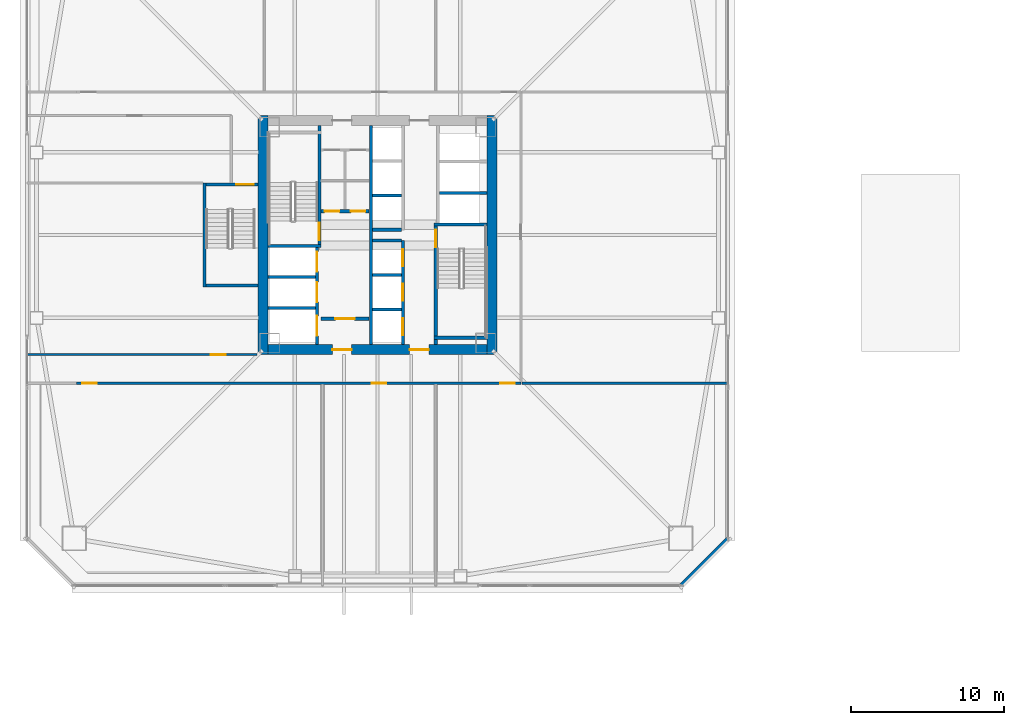
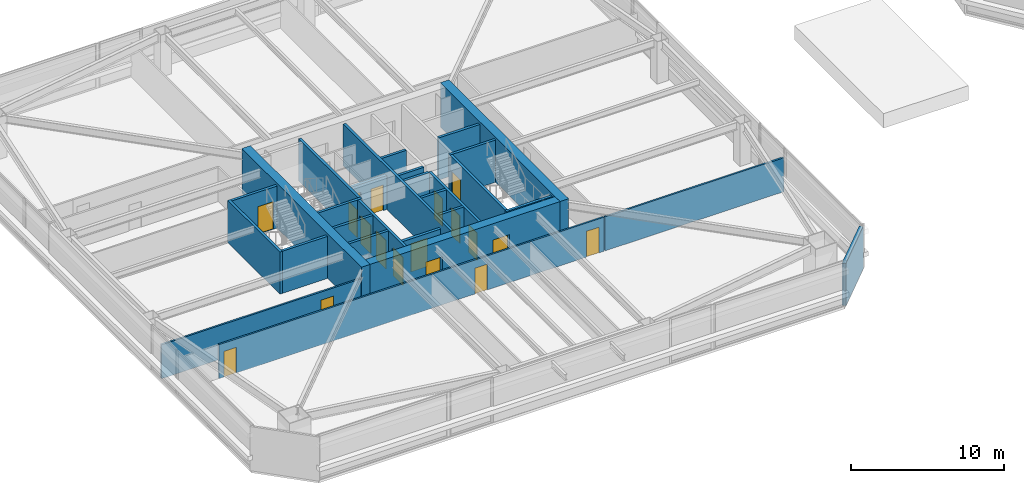
# One storey, part 34 of 46: 28 walls, 18 doors, 18 openings.
"""IFC4 building model written with IfcOpenShell, lengths in metres."""

from ifc_helpers import new_model, si_unit, direction, frame, frame_2d, origin, place, context, subcontext, project, spatial, rectangle, extrude, material, layer, layer_set, type_object, element, fill, save


model = new_model("IFC4")

# Units and contexts
model_context = context("Model", 3, precision=1e-05, world=origin(), true_north=direction((0.0, 1.0)))
body_context = subcontext(model_context, "Body", "Model", "MODEL_VIEW")
ifc_project = project(units=[si_unit("LENGTHUNIT", "METRE"), si_unit("AREAUNIT", "SQUARE_METRE"), si_unit("VOLUMEUNIT", "CUBIC_METRE"), si_unit("PLANEANGLEUNIT", "RADIAN"), si_unit("MASSUNIT", "GRAM", prefix="KILO")], contexts=[model_context])

# Site, building, storey
site_placement = place(None, origin())
site = spatial("IfcSite", under=ifc_project, at=site_placement, CompositionType="ELEMENT")
building_placement = place(site_placement, origin())
building = spatial("IfcBuilding", under=site, at=building_placement, Name="Tashvorn Skyway Center", CompositionType="ELEMENT")
storey_placement = place(building_placement, frame((0.0, 0.0, 31.699951171875)))
storey = spatial("IfcBuildingStorey", under=building, at=storey_placement, Name="L07", CompositionType="ELEMENT", Elevation=31.699951171875)

# Walls
ifc_material_1 = material(Name="Concrete C60/75", Category="concrete")
ifc_layer_1 = layer(ifc_material_1, 0.64990234375)
ifc_layer_set_1 = layer_set([ifc_layer_1], Name="Concrete C60/75")
wall_type_1 = type_object("IfcWallType", Name="WALL-CORE-650", PredefinedType="SHEAR", material=ifc_layer_set_1)
for number, where, z_axis, x_axis, name in (
    (1, (34.52490234375, 24.199951171875, 0.0), (0.0, 0.0, 1.0), (0.0, 1.0, 0.0), "Tower 1 L07 West Core Shear Wall"),
    (2, (49.47509765625, 39.800048828125, 0.0), (0.0, 0.0, 1.0), (0.0, -1.0, 0.0), "Tower 1 L07 East Core Shear Wall"),
):
    element("IfcWall", number, at=place(storey_placement, frame(where, z_axis=z_axis, x_axis=x_axis)), inside=storey, type_object=wall_type_1, Name=name, PredefinedType="SHEAR", context=body_context, shape_type="SweptSolid", body=[
        extrude(rectangle(XDim=15.60009765625, YDim=0.64990234375, at=frame_2d((7.800048828125, 0.0))), origin(), (0.0, 0.0, 1.0), 3.550048828125),
    ])

# Wall, openings, doors
wall_1_placement = place(storey_placement, frame((49.14990234375, 24.52490234375, 0.0), z_axis=(0.0, 0.0, 1.0), x_axis=(-1.0, 0.0, 0.0)))
wall_1 = element("IfcWall", 3, at=wall_1_placement, inside=storey, type_object=wall_type_1, Name="Tower 1 L07 South Core Shear Wall", PredefinedType="SHEAR", context=body_context, shape_type="SweptSolid", body=[
    extrude(rectangle(XDim=14.2998046875, YDim=0.64990234375, at=frame_2d((7.14990234375, 0.0))), origin(), (0.0, 0.0, 1.0), 3.550048828125),
])
opening_1_placement = place(wall_1_placement, frame((8.85009765625, 0.0, 0.0)))
opening_1 = element("IfcOpeningElement", 4, at=opening_1_placement, cuts=wall_1, Name="Opening D-FFL-1250", PredefinedType="OPENING", context=body_context, shape_type="SweptSolid", body=[
    extrude(rectangle(XDim=1.25, YDim=2.25, at=frame_2d((0.625, 1.125))), frame((0.0, 0.3349609375, 0.0), z_axis=(0.0, -1.0, 0.0), x_axis=(1.0, 0.0, 0.0)), (0.0, 0.0, 1.0), 0.669921875),
])
opening_2_placement = place(wall_1_placement, frame((3.800048828125, 0.0, 0.0)))
opening_2 = element("IfcOpeningElement", 5, at=opening_2_placement, cuts=wall_1, Name="Opening D-FFL-1250", PredefinedType="OPENING", context=body_context, shape_type="SweptSolid", body=[
    extrude(rectangle(XDim=1.25, YDim=2.25, at=frame_2d((0.625, 1.125))), frame((0.0, 0.3349609375, 0.0), z_axis=(0.0, -1.0, 0.0), x_axis=(1.0, 0.0, 0.0)), (0.0, 0.0, 1.0), 0.669921875),
])
ifc_material_2 = material(Name="Hollow galvanized steel fire door assembly", Category="steel")
door_type_1 = type_object("IfcDoorType", Name="DOOR-FFL-1250", OperationType="NOTDEFINED", PredefinedType="DOOR", material=ifc_material_2)
door_1_placement = place(opening_1_placement, origin())
door_1 = element("IfcDoor", 6, at=door_1_placement, inside=storey, type_object=door_type_1, Name="Tower 1 L07 Core South Firefighting Exit Door", OperationType="SINGLE_SWING_LEFT", OverallHeight=2.25, OverallWidth=1.25, PredefinedType="DOOR", context=body_context, shape_type="SweptSolid", body=[
    extrude(rectangle(XDim=1.25, YDim=2.25, at=frame_2d((0.625, 1.125))), frame((0.0, 0.02490234375, 0.0), z_axis=(0.0, -1.0, 0.0), x_axis=(1.0, 0.0, 0.0)), (0.0, 0.0, 1.0), 0.050048828125),
])
fill(opening_1, door_1)
door_2_placement = place(opening_2_placement, origin())
door_2 = element("IfcDoor", 7, at=door_2_placement, inside=storey, type_object=door_type_1, Name="Tower 1 L07 Core South Lift Lobby Door", OperationType="SINGLE_SWING_RIGHT", OverallHeight=2.25, OverallWidth=1.25, PredefinedType="DOOR", context=body_context, shape_type="SweptSolid", body=[
    extrude(rectangle(XDim=1.25, YDim=2.25, at=frame_2d((0.625, 1.125))), frame((0.0, 0.02490234375, 0.0), z_axis=(0.0, -1.0, 0.0), x_axis=(1.0, 0.0, 0.0)), (0.0, 0.0, 1.0), 0.050048828125),
])
fill(opening_2, door_2)

# Wall
ifc_material_3 = material(Name="Precast concrete C40/50", Category="concrete")
ifc_layer_2 = layer(ifc_material_3, 0.280029296875)
ifc_layer_set_2 = layer_set([ifc_layer_2], Name="Precast concrete C40/50")
wall_type_2 = type_object("IfcWallType", Name="WALL-EXT-280", PredefinedType="SOLIDWALL", material=ifc_layer_set_2)
wall_2_placement = place(storey_placement, frame((64.89990234375, 12.199951171875, 0.0), z_axis=(0.0, 0.0, 1.0), x_axis=(-0.707106781187, -0.707106781187, 0.0)))
element("IfcWall", 8, at=wall_2_placement, inside=storey, type_object=wall_type_2, Name="Tower 1 L07 SE Precast Chamfer Wall", PredefinedType="SOLIDWALL", context=body_context, shape_type="SweptSolid", body=[
    extrude(rectangle(XDim=4.3837890625, YDim=0.280029296875, at=frame_2d((2.19189453125, 0.0))), origin(), (0.0, 0.0, 1.0), 3.35009765625),
])

# Wall, openings, doors
ifc_material_4 = material(Name="Concrete C40/50", Category="concrete")
ifc_layer_3 = layer(ifc_material_4, 0.219970703125)
ifc_layer_set_3 = layer_set([ifc_layer_3], Name="Concrete C40/50")
wall_type_3 = type_object("IfcWallType", Name="WALL-FFL-220", PredefinedType="SOLIDWALL", material=ifc_layer_set_3)
wall_3_placement = place(storey_placement, frame((38.300048828125, 33.56005859375, 0.0), z_axis=(0.0, 0.0, 1.0), x_axis=(1.0, 0.0, 0.0)))
wall_3 = element("IfcWall", 9, at=wall_3_placement, inside=storey, type_object=wall_type_3, Name="Tower 1 L07 Firefighting Lobby North Wall", PredefinedType="SOLIDWALL", context=body_context, shape_type="SweptSolid", body=[
    extrude(rectangle(XDim=3.14990234375, YDim=0.219970703125, at=frame_2d((1.574951171875, 0.0))), origin(), (0.0, 0.0, 1.0), 2.703125),
])
opening_3_placement = place(wall_3_placement, frame((0.25, 0.0, 0.0)))
opening_3 = element("IfcOpeningElement", 10, at=opening_3_placement, cuts=wall_3, Name="Opening D-RT-950", PredefinedType="OPENING", context=body_context, shape_type="SweptSolid", body=[
    extrude(rectangle(XDim=0.949951171875, YDim=2.050048828125, at=frame_2d((0.47509765625, 1.02490234375))), frame((0.0, 0.119873046875, 0.0), z_axis=(0.0, -1.0, 0.0), x_axis=(1.0, 0.0, 0.0)), (0.0, 0.0, 1.0), 0.239990234375),
])
opening_4_placement = place(wall_3_placement, frame((1.949951171875, 0.0, 0.0)))
opening_4 = element("IfcOpeningElement", 11, at=opening_4_placement, cuts=wall_3, Name="Opening D-RT-950", PredefinedType="OPENING", context=body_context, shape_type="SweptSolid", body=[
    extrude(rectangle(XDim=0.949951171875, YDim=2.050048828125, at=frame_2d((0.47509765625, 1.02490234375))), frame((0.0, 0.119873046875, 0.0), z_axis=(0.0, -1.0, 0.0), x_axis=(1.0, 0.0, 0.0)), (0.0, 0.0, 1.0), 0.239990234375),
])
door_type_2 = type_object("IfcDoorType", Name="DOOR-RATED-950", OperationType="NOTDEFINED", PredefinedType="DOOR", material=ifc_material_2)
door_3_placement = place(opening_3_placement, origin())
door_3 = element("IfcDoor", 12, at=door_3_placement, inside=storey, type_object=door_type_2, Name="Tower 1 L07 Core Mail Room Door", OperationType="SINGLE_SWING_LEFT", OverallHeight=2.050048828125, OverallWidth=0.949951171875, PredefinedType="DOOR", context=body_context, shape_type="SweptSolid", body=[
    extrude(rectangle(XDim=0.949951171875, YDim=2.050048828125, at=frame_2d((0.47509765625, 1.02490234375))), frame((0.0, 0.02490234375, 0.0), z_axis=(0.0, -1.0, 0.0), x_axis=(1.0, 0.0, 0.0)), (0.0, 0.0, 1.0), 0.050048828125),
])
fill(opening_3, door_3)
door_4_placement = place(opening_4_placement, origin())
door_4 = element("IfcDoor", 13, at=door_4_placement, inside=storey, type_object=door_type_2, Name="Tower 1 L07 Core Supply Closet Door", OperationType="SINGLE_SWING_RIGHT", OverallHeight=2.050048828125, OverallWidth=0.949951171875, PredefinedType="DOOR", context=body_context, shape_type="SweptSolid", body=[
    extrude(rectangle(XDim=0.949951171875, YDim=2.050048828125, at=frame_2d((0.47509765625, 1.02490234375))), frame((0.0, 0.02490234375, 0.0), z_axis=(0.0, -1.0, 0.0), x_axis=(1.0, 0.0, 0.0)), (0.0, 0.0, 1.0), 0.050048828125),
])
fill(opening_4, door_4)

# Wall, opening, door
wall_4_placement = place(storey_placement, frame((38.300048828125, 26.5400390625, 0.0), z_axis=(0.0, 0.0, 1.0), x_axis=(1.0, 0.0, 0.0)))
wall_4 = element("IfcWall", 14, at=wall_4_placement, inside=storey, type_object=wall_type_3, Name="Tower 1 L07 Firefighting Lobby South Wall", PredefinedType="SOLIDWALL", context=body_context, shape_type="SweptSolid", body=[
    extrude(rectangle(XDim=3.14990234375, YDim=0.219970703125, at=frame_2d((1.574951171875, 0.0))), origin(), (0.0, 0.0, 1.0), 2.703125),
])
opening_5_placement = place(wall_4_placement, frame((0.949951171875, 0.0, 0.0)))
opening_5 = element("IfcOpeningElement", 15, at=opening_5_placement, cuts=wall_4, Name="Opening D-FFL-1250", PredefinedType="OPENING", context=body_context, shape_type="SweptSolid", body=[
    extrude(rectangle(XDim=1.25, YDim=2.25, at=frame_2d((0.625, 1.125))), frame((0.0, 0.119873046875, 0.0), z_axis=(0.0, -1.0, 0.0), x_axis=(1.0, 0.0, 0.0)), (0.0, 0.0, 1.0), 0.239990234375),
])
door_5_placement = place(opening_5_placement, origin())
door_5 = element("IfcDoor", 16, at=door_5_placement, inside=storey, type_object=door_type_1, Name="Tower 1 L07 Firefighting Lobby Egress Door", OperationType="SINGLE_SWING_LEFT", OverallHeight=2.25, OverallWidth=1.25, PredefinedType="DOOR", context=body_context, shape_type="SweptSolid", body=[
    extrude(rectangle(XDim=1.25, YDim=2.25, at=frame_2d((0.625, 1.125))), frame((0.0, 0.02490234375, 0.0), z_axis=(0.0, -1.0, 0.0), x_axis=(1.0, 0.0, 0.0)), (0.0, 0.0, 1.0), 0.050048828125),
])
fill(opening_5, door_5)

# Wall, openings, doors
ifc_material_5 = material(Name="Gypsum board on cold-formed steel stud framing", Category="steel")
ifc_layer_4 = layer(ifc_material_5, 0.135009765625)
ifc_layer_set_4 = layer_set([ifc_layer_4], Name="Gypsum board on cold-formed steel stud framing")
wall_type_4 = type_object("IfcWallType", Name="WALL-PART-135", PredefinedType="PARTITIONING", material=ifc_layer_set_4)
wall_5_placement = place(storey_placement, frame((51.35009765625, 22.330078125, 0.0), z_axis=(0.0, 0.0, 1.0), x_axis=(-1.0, 0.0, 0.0)))
wall_5 = element("IfcWall", 17, at=wall_5_placement, inside=storey, type_object=wall_type_4, Name="Tower 1 L07 South Suite Wall", PredefinedType="PARTITIONING", context=body_context, shape_type="SweptSolid", body=[
    extrude(rectangle(XDim=29.0, YDim=0.135009765625, at=frame_2d((14.5, 0.0))), origin(), (0.0, 0.0, 1.0), 2.703125),
])
opening_6_placement = place(wall_5_placement, frame((27.669921875, 0.0, 0.0)))
opening_6 = element("IfcOpeningElement", 18, at=opening_6_placement, cuts=wall_5, Name="Opening D-INT-950", PredefinedType="OPENING", context=body_context, shape_type="SweptSolid", body=[
    extrude(rectangle(XDim=0.949951171875, YDim=2.050048828125, at=frame_2d((0.47509765625, 1.02490234375))), frame((0.0, 0.077392578125, 0.0), z_axis=(0.0, -1.0, 0.0), x_axis=(1.0, 0.0, 0.0)), (0.0, 0.0, 1.0), 0.155029296875),
])
opening_7_placement = place(wall_5_placement, frame((8.77490234375, 0.0, 0.0)))
opening_7 = element("IfcOpeningElement", 19, at=opening_7_placement, cuts=wall_5, Name="Opening D-INT-950", PredefinedType="OPENING", context=body_context, shape_type="SweptSolid", body=[
    extrude(rectangle(XDim=0.949951171875, YDim=2.050048828125, at=frame_2d((0.47509765625, 1.02490234375))), frame((0.0, 0.077392578125, 0.0), z_axis=(0.0, -1.0, 0.0), x_axis=(1.0, 0.0, 0.0)), (0.0, 0.0, 1.0), 0.155029296875),
])
opening_8_placement = place(wall_5_placement, frame((0.3798828125, 0.0, 0.0)))
opening_8 = element("IfcOpeningElement", 20, at=opening_8_placement, cuts=wall_5, Name="Opening D-INT-950", PredefinedType="OPENING", context=body_context, shape_type="SweptSolid", body=[
    extrude(rectangle(XDim=0.949951171875, YDim=2.050048828125, at=frame_2d((0.47509765625, 1.02490234375))), frame((0.0, 0.077392578125, 0.0), z_axis=(0.0, -1.0, 0.0), x_axis=(1.0, 0.0, 0.0)), (0.0, 0.0, 1.0), 0.155029296875),
])
ifc_material_6 = material(Name="Solid-core architectural oak veneer door")
door_type_3 = type_object("IfcDoorType", Name="DOOR-INT-950", OperationType="NOTDEFINED", PredefinedType="DOOR", material=ifc_material_6)
door_6_placement = place(opening_6_placement, origin())
door_6 = element("IfcDoor", 21, at=door_6_placement, inside=storey, type_object=door_type_3, Name="Tower 1 L07 Open Plan Office Door", OperationType="SINGLE_SWING_LEFT", OverallHeight=2.050048828125, OverallWidth=0.949951171875, PredefinedType="DOOR", context=body_context, shape_type="SweptSolid", body=[
    extrude(rectangle(XDim=0.949951171875, YDim=2.050048828125, at=frame_2d((0.47509765625, 1.02490234375))), frame((0.0, 0.02490234375, 0.0), z_axis=(0.0, -1.0, 0.0), x_axis=(1.0, 0.0, 0.0)), (0.0, 0.0, 1.0), 0.050048828125),
])
fill(opening_6, door_6)
door_7_placement = place(opening_7_placement, origin())
door_7 = element("IfcDoor", 22, at=door_7_placement, inside=storey, type_object=door_type_3, Name="Tower 1 L07 Catering Pantry Door", OperationType="SINGLE_SWING_RIGHT", OverallHeight=2.050048828125, OverallWidth=0.949951171875, PredefinedType="DOOR", context=body_context, shape_type="SweptSolid", body=[
    extrude(rectangle(XDim=0.949951171875, YDim=2.050048828125, at=frame_2d((0.47509765625, 1.02490234375))), frame((0.0, 0.02490234375, 0.0), z_axis=(0.0, -1.0, 0.0), x_axis=(1.0, 0.0, 0.0)), (0.0, 0.0, 1.0), 0.050048828125),
])
fill(opening_7, door_7)
door_8_placement = place(opening_8_placement, origin())
door_8 = element("IfcDoor", 23, at=door_8_placement, inside=storey, type_object=door_type_3, Name="Tower 1 L07 Catering Pantry Door", OperationType="SINGLE_SWING_LEFT", OverallHeight=2.050048828125, OverallWidth=0.949951171875, PredefinedType="DOOR", context=body_context, shape_type="SweptSolid", body=[
    extrude(rectangle(XDim=0.949951171875, YDim=2.050048828125, at=frame_2d((0.47509765625, 1.02490234375))), frame((0.0, 0.02490234375, 0.0), z_axis=(0.0, -1.0, 0.0), x_axis=(1.0, 0.0, 0.0)), (0.0, 0.0, 1.0), 0.050048828125),
])
fill(opening_8, door_8)

# Wall
wall_6_placement = place(storey_placement, frame((51.429931640625, 22.330078125, 0.0), z_axis=(0.0, 0.0, 1.0), x_axis=(1.0, 0.0, 0.0)))
element("IfcWall", 24, at=wall_6_placement, inside=storey, type_object=wall_type_4, Name="Tower 1 L07 East Suite South Wall", PredefinedType="PARTITIONING", context=body_context, shape_type="SweptSolid", body=[
    extrude(rectangle(XDim=13.449951171875, YDim=0.135009765625, at=frame_2d((6.72509765625, 0.0))), origin(), (0.0, 0.0, 1.0), 2.703125),
])

# Wall, opening, door
wall_7_placement = place(storey_placement, frame((19.1201171875, 24.199951171875, 0.0), z_axis=(0.0, 0.0, 1.0), x_axis=(1.0, 0.0, 0.0)))
wall_7 = element("IfcWall", 25, at=wall_7_placement, inside=storey, type_object=wall_type_4, Name="Tower 1 L07 West Suite South Wall", PredefinedType="PARTITIONING", context=body_context, shape_type="SweptSolid", body=[
    extrude(rectangle(XDim=15.0, YDim=0.135009765625, at=frame_2d((7.5, 0.0))), origin(), (0.0, 0.0, 1.0), 2.703125),
])
opening_9_placement = place(wall_7_placement, frame((12.0048828125, 0.0, 0.0)))
opening_9 = element("IfcOpeningElement", 26, at=opening_9_placement, cuts=wall_7, Name="Opening D-INT-950", PredefinedType="OPENING", context=body_context, shape_type="SweptSolid", body=[
    extrude(rectangle(XDim=0.949951171875, YDim=2.050048828125, at=frame_2d((0.47509765625, 1.02490234375))), frame((0.0, 0.077392578125, 0.0), z_axis=(0.0, -1.0, 0.0), x_axis=(1.0, 0.0, 0.0)), (0.0, 0.0, 1.0), 0.155029296875),
])
door_9_placement = place(opening_9_placement, origin())
door_9 = element("IfcDoor", 27, at=door_9_placement, inside=storey, type_object=door_type_3, Name="Tower 1 L07 Public Restroom Door", OperationType="SINGLE_SWING_RIGHT", OverallHeight=2.050048828125, OverallWidth=0.949951171875, PredefinedType="DOOR", context=body_context, shape_type="SweptSolid", body=[
    extrude(rectangle(XDim=0.949951171875, YDim=2.050048828125, at=frame_2d((0.47509765625, 1.02490234375))), frame((0.0, 0.02490234375, 0.0), z_axis=(0.0, -1.0, 0.0), x_axis=(1.0, 0.0, 0.0)), (0.0, 0.0, 1.0), 0.050048828125),
])
fill(opening_9, door_9)

# Walls
ifc_layer_5 = layer(ifc_material_4, 0.199951171875)
ifc_layer_set_5 = layer_set([ifc_layer_5], Name="Concrete C40/50")
wall_type_5 = type_object("IfcWallType", Name="WALL-SHAFT-200", PredefinedType="SOLIDWALL", material=ifc_layer_set_5)
for number, where, z_axis, x_axis, name in (
    (28, (34.85009765625, 27.25, 0.0), (0.0, 0.0, 1.0), (1.0, 0.0, 0.0), "Tower 1 L07 FSAE Shaft Divider"),
    (29, (34.85009765625, 29.280029296875, 0.0), (0.0, 0.0, 1.0), (1.0, 0.0, 0.0), "Tower 1 L07 FSAE Shaft Divider"),
    (30, (46.050048828125, 34.75, 0.0), (0.0, 0.0, 1.0), (1.0, 0.0, 0.0), "Tower 1 L07 High-Rise Shaft Divider"),
):
    element("IfcWall", number, at=place(storey_placement, frame(where, z_axis=z_axis, x_axis=x_axis)), inside=storey, type_object=wall_type_5, Name=name, PredefinedType="SOLIDWALL", context=body_context, shape_type="SweptSolid", body=[
        extrude(rectangle(XDim=3.099853515625, YDim=0.199951171875, at=frame_2d((1.5498046875, 0.0))), origin(), (0.0, 0.0, 1.0), 3.35009765625),
    ])

# Wall, openings, doors
wall_8_placement = place(storey_placement, frame((43.64990234375, 24.85009765625, 0.0), z_axis=(0.0, 0.0, 1.0), x_axis=(0.0, 1.0, 0.0)))
wall_8 = element("IfcWall", 31, at=wall_8_placement, inside=storey, type_object=wall_type_5, Name="Tower 1 L07 Low-Rise Core Wall", PredefinedType="SOLIDWALL", context=body_context, shape_type="SweptSolid", body=[
    extrude(rectangle(XDim=6.7998046875, YDim=0.199951171875, at=frame_2d((3.39990234375, 0.0))), origin(), (0.0, 0.0, 1.0), 3.35009765625),
])
opening_10_placement = place(wall_8_placement, frame((0.625, 0.0, 0.0)))
opening_10 = element("IfcOpeningElement", 32, at=opening_10_placement, cuts=wall_8, Name="Opening LD-LR-T1-1-L07", PredefinedType="OPENING", context=body_context, shape_type="SweptSolid", body=[
    extrude(rectangle(XDim=1.10009765625, YDim=2.199951171875, at=frame_2d((0.550048828125, 1.10009765625))), frame((0.0, 0.10986328125, 0.0), z_axis=(0.0, -1.0, 0.0), x_axis=(1.0, 0.0, 0.0)), (0.0, 0.0, 1.0), 0.219970703125),
])
opening_11_placement = place(wall_8_placement, frame((2.875, 0.0, 0.0)))
opening_11 = element("IfcOpeningElement", 33, at=opening_11_placement, cuts=wall_8, Name="Opening LD-LR-T1-2-L07", PredefinedType="OPENING", context=body_context, shape_type="SweptSolid", body=[
    extrude(rectangle(XDim=1.10009765625, YDim=2.199951171875, at=frame_2d((0.550048828125, 1.10009765625))), frame((0.0, 0.10986328125, 0.0), z_axis=(0.0, -1.0, 0.0), x_axis=(1.0, 0.0, 0.0)), (0.0, 0.0, 1.0), 0.219970703125),
])
opening_12_placement = place(wall_8_placement, frame((5.125, 0.0, 0.0)))
opening_12 = element("IfcOpeningElement", 34, at=opening_12_placement, cuts=wall_8, Name="Opening LD-LR-T1-3-L07", PredefinedType="OPENING", context=body_context, shape_type="SweptSolid", body=[
    extrude(rectangle(XDim=1.10009765625, YDim=2.199951171875, at=frame_2d((0.550048828125, 1.10009765625))), frame((0.0, 0.10986328125, 0.0), z_axis=(0.0, -1.0, 0.0), x_axis=(1.0, 0.0, 0.0)), (0.0, 0.0, 1.0), 0.219970703125),
])
ifc_material_7 = material(Name="Stainless steel landing door", Category="steel")
door_type_4 = type_object("IfcDoorType", Name="DOOR-LIFT-1100", OperationType="SLIDING_TO_LEFT", PredefinedType="DOOR", material=ifc_material_7)
door_10_placement = place(opening_10_placement, origin())
door_10 = element("IfcDoor", 35, at=door_10_placement, inside=storey, type_object=door_type_4, Name="Lift LR-T1-1 L07 Landing Door", OperationType="SLIDING_TO_LEFT", OverallHeight=2.199951171875, OverallWidth=1.10009765625, PredefinedType="DOOR", context=body_context, shape_type="SweptSolid", body=[
    extrude(rectangle(XDim=1.10009765625, YDim=2.199951171875, at=frame_2d((0.550048828125, 1.10009765625))), frame((0.0, 0.02490234375, 0.0), z_axis=(0.0, -1.0, 0.0), x_axis=(1.0, 0.0, 0.0)), (0.0, 0.0, 1.0), 0.050048828125),
])
fill(opening_10, door_10)
door_11_placement = place(opening_11_placement, origin())
door_11 = element("IfcDoor", 36, at=door_11_placement, inside=storey, type_object=door_type_4, Name="Lift LR-T1-2 L07 Landing Door", OperationType="SLIDING_TO_LEFT", OverallHeight=2.199951171875, OverallWidth=1.10009765625, PredefinedType="DOOR", context=body_context, shape_type="SweptSolid", body=[
    extrude(rectangle(XDim=1.10009765625, YDim=2.199951171875, at=frame_2d((0.550048828125, 1.10009765625))), frame((0.0, 0.02490234375, 0.0), z_axis=(0.0, -1.0, 0.0), x_axis=(1.0, 0.0, 0.0)), (0.0, 0.0, 1.0), 0.050048828125),
])
fill(opening_11, door_11)
door_12_placement = place(opening_12_placement, origin())
door_12 = element("IfcDoor", 37, at=door_12_placement, inside=storey, type_object=door_type_4, Name="Lift LR-T1-3 L07 Landing Door", OperationType="SLIDING_TO_LEFT", OverallHeight=2.199951171875, OverallWidth=1.10009765625, PredefinedType="DOOR", context=body_context, shape_type="SweptSolid", body=[
    extrude(rectangle(XDim=1.10009765625, YDim=2.199951171875, at=frame_2d((0.550048828125, 1.10009765625))), frame((0.0, 0.02490234375, 0.0), z_axis=(0.0, -1.0, 0.0), x_axis=(1.0, 0.0, 0.0)), (0.0, 0.0, 1.0), 0.050048828125),
])
fill(opening_12, door_12)

# Walls
for number, where, z_axis, x_axis, name in (
    (38, (41.669921875, 27.14990234375, 0.0), (0.0, 0.0, 1.0), (1.0, 0.0, 0.0), "Tower 1 L07 Low-Rise Shaft Divider"),
    (39, (41.669921875, 29.39990234375, 0.0), (0.0, 0.0, 1.0), (1.0, 0.0, 0.0), "Tower 1 L07 Low-Rise Shaft Divider"),
    (40, (41.669921875, 31.64990234375, 0.0), (0.0, 0.0, 1.0), (1.0, 0.0, 0.0), "Tower 1 L07 Low-Rise Shaft Divider"),
    (41, (41.669921875, 32.35009765625, 0.0), (0.0, 0.0, 1.0), (1.0, 0.0, 0.0), "Tower 1 L07 Mid-Rise Shaft Divider"),
    (42, (41.669921875, 34.60009765625, 0.0), (0.0, 0.0, 1.0), (1.0, 0.0, 0.0), "Tower 1 L07 Mid-Rise Shaft Divider"),
):
    element("IfcWall", number, at=place(storey_placement, frame(where, z_axis=z_axis, x_axis=x_axis)), inside=storey, type_object=wall_type_5, Name=name, PredefinedType="SOLIDWALL", context=body_context, shape_type="SweptSolid", body=[
        extrude(rectangle(XDim=1.880126953125, YDim=0.199951171875, at=frame_2d((0.93994140625, 0.0))), origin(), (0.0, 0.0, 1.0), 3.35009765625),
    ])

# Wall, opening, door
ifc_layer_6 = layer(ifc_material_4, 0.199951171875)
ifc_layer_set_6 = layer_set([ifc_layer_6], Name="Concrete C40/50")
wall_type_6 = type_object("IfcWallType", Name="WALL-STSHF-200", PredefinedType="SHEAR", material=ifc_layer_set_6)
wall_9_placement = place(storey_placement, frame((38.199951171875, 31.199951171875, 0.0), z_axis=(0.0, 0.0, 1.0), x_axis=(0.0, 1.0, 0.0)))
wall_9 = element("IfcWall", 43, at=wall_9_placement, inside=storey, type_object=wall_type_6, Name="Tower 1 L07 Stair 1 Enclosure Wall", PredefinedType="SHEAR", context=body_context, shape_type="SweptSolid", body=[
    extrude(rectangle(XDim=7.949951171875, YDim=0.199951171875, at=frame_2d((3.97509765625, 0.0))), origin(), (0.0, 0.0, 1.0), 3.35009765625),
])
opening_13_placement = place(wall_9_placement, frame((0.449951171875, 0.0, 0.0)))
opening_13 = element("IfcOpeningElement", 44, at=opening_13_placement, cuts=wall_9, Name="Opening D-ST-1150", PredefinedType="OPENING", context=body_context, shape_type="SweptSolid", body=[
    extrude(rectangle(XDim=1.14990234375, YDim=2.199951171875, at=frame_2d((0.574951171875, 1.10009765625))), frame((0.0, 0.10986328125, 0.0), z_axis=(0.0, -1.0, 0.0), x_axis=(1.0, 0.0, 0.0)), (0.0, 0.0, 1.0), 0.219970703125),
])
door_type_5 = type_object("IfcDoorType", Name="DOOR-STAIR-1150", OperationType="NOTDEFINED", PredefinedType="DOOR", material=ifc_material_2)
door_13_placement = place(opening_13_placement, origin())
door_13 = element("IfcDoor", 45, at=door_13_placement, inside=storey, type_object=door_type_5, Name="Tower 1 L07 Exit Stair 1 Door", OperationType="SINGLE_SWING_RIGHT", OverallHeight=2.199951171875, OverallWidth=1.14990234375, PredefinedType="DOOR", context=body_context, shape_type="SweptSolid", body=[
    extrude(rectangle(XDim=1.14990234375, YDim=2.199951171875, at=frame_2d((0.574951171875, 1.10009765625))), frame((0.0, 0.02490234375, 0.0), z_axis=(0.0, -1.0, 0.0), x_axis=(1.0, 0.0, 0.0)), (0.0, 0.0, 1.0), 0.050048828125),
])
fill(opening_13, door_13)

# Wall
wall_10_placement = place(storey_placement, frame((34.85009765625, 31.300048828125, 0.0), z_axis=(0.0, 0.0, 1.0), x_axis=(1.0, 0.0, 0.0)))
element("IfcWall", 46, at=wall_10_placement, inside=storey, type_object=wall_type_6, Name="Tower 1 L07 Stair 1 South Wall", PredefinedType="SHEAR", context=body_context, shape_type="SweptSolid", body=[
    extrude(rectangle(XDim=3.449951171875, YDim=0.199951171875, at=frame_2d((1.72509765625, 0.0))), origin(), (0.0, 0.0, 1.0), 3.35009765625),
])

# Wall, opening, door
wall_11_placement = place(storey_placement, frame((45.800048828125, 32.800048828125, 0.0), z_axis=(0.0, 0.0, 1.0), x_axis=(0.0, -1.0, 0.0)))
wall_11 = element("IfcWall", 47, at=wall_11_placement, inside=storey, type_object=wall_type_6, Name="Tower 1 L07 Stair 2 Enclosure Wall", PredefinedType="SHEAR", context=body_context, shape_type="SweptSolid", body=[
    extrude(rectangle(XDim=7.949951171875, YDim=0.199951171875, at=frame_2d((3.97509765625, 0.0))), origin(), (0.0, 0.0, 1.0), 3.35009765625),
])
opening_14_placement = place(wall_11_placement, frame((0.449951171875, 0.0, 0.0)))
opening_14 = element("IfcOpeningElement", 48, at=opening_14_placement, cuts=wall_11, Name="Opening D-ST-1150", PredefinedType="OPENING", context=body_context, shape_type="SweptSolid", body=[
    extrude(rectangle(XDim=1.14990234375, YDim=2.199951171875, at=frame_2d((0.574951171875, 1.10009765625))), frame((0.0, 0.10986328125, 0.0), z_axis=(0.0, -1.0, 0.0), x_axis=(1.0, 0.0, 0.0)), (0.0, 0.0, 1.0), 0.219970703125),
])
door_14_placement = place(opening_14_placement, origin())
door_14 = element("IfcDoor", 49, at=door_14_placement, inside=storey, type_object=door_type_5, Name="Tower 1 L07 Exit Stair 2 Door", OperationType="SINGLE_SWING_RIGHT", OverallHeight=2.199951171875, OverallWidth=1.14990234375, PredefinedType="DOOR", context=body_context, shape_type="SweptSolid", body=[
    extrude(rectangle(XDim=1.14990234375, YDim=2.199951171875, at=frame_2d((0.574951171875, 1.10009765625))), frame((0.0, 0.02490234375, 0.0), z_axis=(0.0, -1.0, 0.0), x_axis=(1.0, 0.0, 0.0)), (0.0, 0.0, 1.0), 0.050048828125),
])
fill(opening_14, door_14)

# Walls
for number, where, z_axis, x_axis, name in (
    (50, (45.699951171875, 32.699951171875, 0.0), (0.0, 0.0, 1.0), (1.0, 0.0, 0.0), "Tower 1 L07 Stair 2 North Wall"),
    (51, (45.699951171875, 25.300048828125, 0.0), (0.0, 0.0, 1.0), (1.0, 0.0, 0.0), "Tower 1 L07 Stair 2 South Wall"),
):
    element("IfcWall", number, at=place(storey_placement, frame(where, z_axis=z_axis, x_axis=x_axis)), inside=storey, type_object=wall_type_6, Name=name, PredefinedType="SHEAR", context=body_context, shape_type="SweptSolid", body=[
        extrude(rectangle(XDim=3.449951171875, YDim=0.199951171875, at=frame_2d((1.72509765625, 0.0))), origin(), (0.0, 0.0, 1.0), 3.35009765625),
    ])
wall_12_placement = place(storey_placement, frame((41.56005859375, 24.85009765625, 0.0), z_axis=(0.0, 0.0, 1.0), x_axis=(0.0, 1.0, 0.0)))
element("IfcWall", 52, at=wall_12_placement, inside=storey, type_object=wall_type_6, Name="Tower 1 L07 Firefighting Lobby East Smoke Barrier", PredefinedType="SHEAR", context=body_context, shape_type="SweptSolid", body=[
    extrude(rectangle(XDim=14.2998046875, YDim=0.199951171875, at=frame_2d((7.14990234375, 0.0))), origin(), (0.0, 0.0, 1.0), 3.35009765625),
])

# Wall, openings, doors
wall_13_placement = place(storey_placement, frame((38.050048828125, 24.85009765625, 0.0), z_axis=(0.0, 0.0, 1.0), x_axis=(0.0, 1.0, 0.0)))
wall_13 = element("IfcWall", 53, at=wall_13_placement, inside=storey, type_object=wall_type_6, Name="Tower 1 L07 FSAE and Goods Shaft Front Wall", PredefinedType="SHEAR", context=body_context, shape_type="SweptSolid", body=[
    extrude(rectangle(XDim=6.349853515625, YDim=0.199951171875, at=frame_2d((3.1748046875, 0.0))), origin(), (0.0, 0.0, 1.0), 3.35009765625),
])
opening_15_placement = place(wall_13_placement, frame((4.77490234375, 0.0, 0.0)))
opening_15 = element("IfcOpeningElement", 54, at=opening_15_placement, cuts=wall_13, Name="Opening LD-FF-T1-1-L07", PredefinedType="OPENING", context=body_context, shape_type="SweptSolid", body=[
    extrude(rectangle(XDim=1.300048828125, YDim=2.25, at=frame_2d((0.64990234375, 1.125))), frame((0.0, 0.10986328125, 0.0), z_axis=(0.0, -1.0, 0.0), x_axis=(1.0, 0.0, 0.0)), (0.0, 0.0, 1.0), 0.219970703125),
])
opening_16_placement = place(wall_13_placement, frame((2.77490234375, 0.0, 0.0)))
opening_16 = element("IfcOpeningElement", 55, at=opening_16_placement, cuts=wall_13, Name="Opening LD-FF-T1-2-L07", PredefinedType="OPENING", context=body_context, shape_type="SweptSolid", body=[
    extrude(rectangle(XDim=1.300048828125, YDim=2.25, at=frame_2d((0.64990234375, 1.125))), frame((0.0, 0.10986328125, 0.0), z_axis=(0.0, -1.0, 0.0), x_axis=(1.0, 0.0, 0.0)), (0.0, 0.0, 1.0), 0.219970703125),
])
opening_17_placement = place(wall_13_placement, frame((0.574951171875, 0.0, 0.0)))
opening_17 = element("IfcOpeningElement", 56, at=opening_17_placement, cuts=wall_13, Name="Opening LD-GD-T1-1-L07", PredefinedType="OPENING", context=body_context, shape_type="SweptSolid", body=[
    extrude(rectangle(XDim=1.300048828125, YDim=2.25, at=frame_2d((0.64990234375, 1.125))), frame((0.0, 0.10986328125, 0.0), z_axis=(0.0, -1.0, 0.0), x_axis=(1.0, 0.0, 0.0)), (0.0, 0.0, 1.0), 0.219970703125),
])
ifc_material_8 = material(Name="Stainless steel heavy-duty landing door", Category="steel")
door_type_6 = type_object("IfcDoorType", Name="DOOR-LIFT-1300", OperationType="SLIDING_TO_LEFT", PredefinedType="DOOR", material=ifc_material_8)
door_15_placement = place(opening_15_placement, origin())
door_15 = element("IfcDoor", 57, at=door_15_placement, inside=storey, type_object=door_type_6, Name="Lift FF-T1-1 L07 Landing Door", OperationType="SLIDING_TO_LEFT", OverallHeight=2.25, OverallWidth=1.300048828125, PredefinedType="DOOR", context=body_context, shape_type="SweptSolid", body=[
    extrude(rectangle(XDim=1.300048828125, YDim=2.25, at=frame_2d((0.64990234375, 1.125))), frame((0.0, 0.02490234375, 0.0), z_axis=(0.0, -1.0, 0.0), x_axis=(1.0, 0.0, 0.0)), (0.0, 0.0, 1.0), 0.050048828125),
])
fill(opening_15, door_15)
door_16_placement = place(opening_16_placement, origin())
door_16 = element("IfcDoor", 58, at=door_16_placement, inside=storey, type_object=door_type_6, Name="Lift FF-T1-2 L07 Landing Door", OperationType="SLIDING_TO_LEFT", OverallHeight=2.25, OverallWidth=1.300048828125, PredefinedType="DOOR", context=body_context, shape_type="SweptSolid", body=[
    extrude(rectangle(XDim=1.300048828125, YDim=2.25, at=frame_2d((0.64990234375, 1.125))), frame((0.0, 0.02490234375, 0.0), z_axis=(0.0, -1.0, 0.0), x_axis=(1.0, 0.0, 0.0)), (0.0, 0.0, 1.0), 0.050048828125),
])
fill(opening_16, door_16)
door_17_placement = place(opening_17_placement, origin())
door_17 = element("IfcDoor", 59, at=door_17_placement, inside=storey, type_object=door_type_6, Name="Lift GD-T1-1 L07 Landing Door", OperationType="SLIDING_TO_LEFT", OverallHeight=2.25, OverallWidth=1.300048828125, PredefinedType="DOOR", context=body_context, shape_type="SweptSolid", body=[
    extrude(rectangle(XDim=1.300048828125, YDim=2.25, at=frame_2d((0.64990234375, 1.125))), frame((0.0, 0.02490234375, 0.0), z_axis=(0.0, -1.0, 0.0), x_axis=(1.0, 0.0, 0.0)), (0.0, 0.0, 1.0), 0.050048828125),
])
fill(opening_17, door_17)

# Wall
wall_14_placement = place(storey_placement, frame((30.699951171875, 28.60009765625, 0.0), z_axis=(0.0, 0.0, 1.0), x_axis=(0.0, 1.0, 0.0)))
element("IfcWall", 60, at=wall_14_placement, inside=storey, type_object=wall_type_6, Name="Tower 1 L07 Stair 3 Outer Wall", PredefinedType="SHEAR", context=body_context, shape_type="SweptSolid", body=[
    extrude(rectangle(XDim=6.7998046875, YDim=0.199951171875, at=frame_2d((3.39990234375, 0.0))), origin(), (0.0, 0.0, 1.0), 3.35009765625),
])

# Wall, opening, door
wall_15_placement = place(storey_placement, frame((34.199951171875, 35.300048828125, 0.0), z_axis=(0.0, 0.0, 1.0), x_axis=(-1.0, 0.0, 0.0)))
wall_15 = element("IfcWall", 61, at=wall_15_placement, inside=storey, type_object=wall_type_6, Name="Tower 1 L07 Stair 3 Enclosure Wall", PredefinedType="SHEAR", context=body_context, shape_type="SweptSolid", body=[
    extrude(rectangle(XDim=3.39990234375, YDim=0.199951171875, at=frame_2d((1.699951171875, 0.0))), origin(), (0.0, 0.0, 1.0), 3.35009765625),
])
opening_18_placement = place(wall_15_placement, frame((0.27490234375, 0.0, 0.0)))
opening_18 = element("IfcOpeningElement", 62, at=opening_18_placement, cuts=wall_15, Name="Opening D-ST-1150", PredefinedType="OPENING", context=body_context, shape_type="SweptSolid", body=[
    extrude(rectangle(XDim=1.14990234375, YDim=2.199951171875, at=frame_2d((0.574951171875, 1.10009765625))), frame((0.0, 0.10986328125, 0.0), z_axis=(0.0, -1.0, 0.0), x_axis=(1.0, 0.0, 0.0)), (0.0, 0.0, 1.0), 0.219970703125),
])
door_18_placement = place(opening_18_placement, origin())
door_18 = element("IfcDoor", 63, at=door_18_placement, inside=storey, type_object=door_type_5, Name="Tower 1 L07 Exit Stair 3 Door", OperationType="SINGLE_SWING_RIGHT", OverallHeight=2.199951171875, OverallWidth=1.14990234375, PredefinedType="DOOR", context=body_context, shape_type="SweptSolid", body=[
    extrude(rectangle(XDim=1.14990234375, YDim=2.199951171875, at=frame_2d((0.574951171875, 1.10009765625))), frame((0.0, 0.02490234375, 0.0), z_axis=(0.0, -1.0, 0.0), x_axis=(1.0, 0.0, 0.0)), (0.0, 0.0, 1.0), 0.050048828125),
])
fill(opening_18, door_18)

# Wall
wall_16_placement = place(storey_placement, frame((30.800048828125, 28.699951171875, 0.0), z_axis=(0.0, 0.0, 1.0), x_axis=(1.0, 0.0, 0.0)))
element("IfcWall", 64, at=wall_16_placement, inside=storey, type_object=wall_type_6, Name="Tower 1 L07 Stair 3 South Wall", PredefinedType="SHEAR", context=body_context, shape_type="SweptSolid", body=[
    extrude(rectangle(XDim=3.39990234375, YDim=0.199951171875, at=frame_2d((1.699951171875, 0.0))), origin(), (0.0, 0.0, 1.0), 3.35009765625),
])

save(model, "model.ifc")
